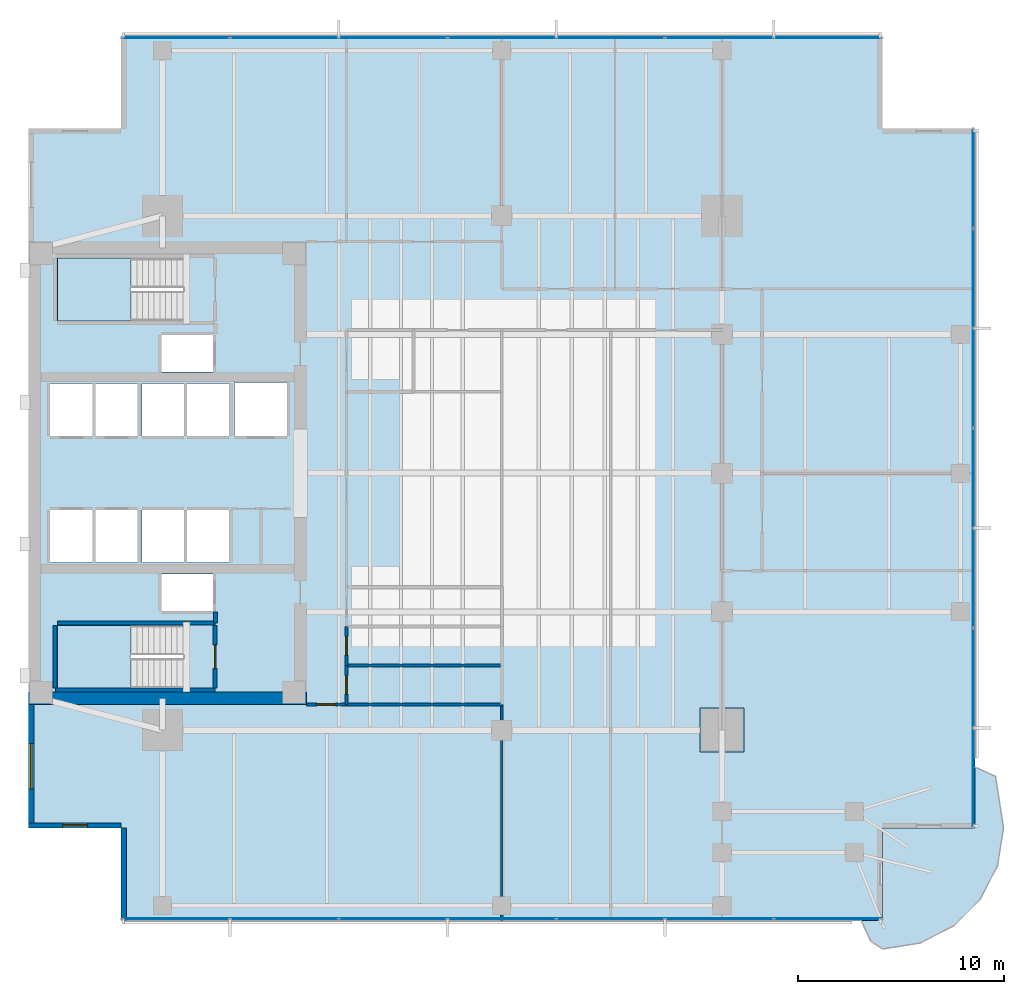
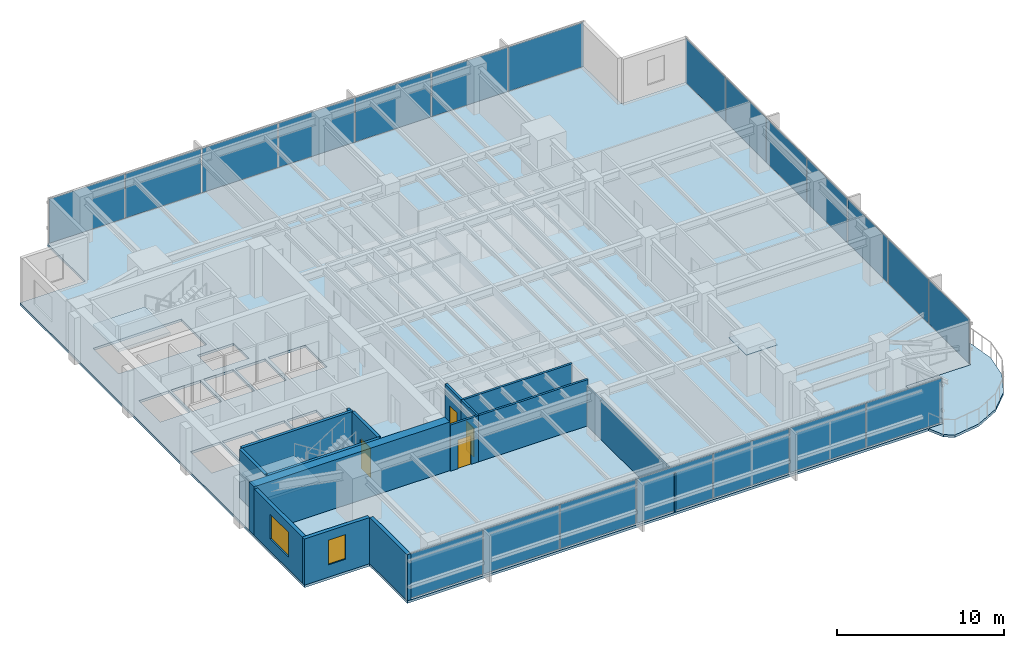
# One storey, part 7 of 14: 22 plates, 15 walls, 4 doors, 4 slabs, 2 windows, 6 openings, 5 elements without a shape of their own.
"""IFC4 building model written with IfcOpenShell, lengths in metres."""

from ifc_helpers import new_model, si_unit, direction, frame, frame_2d, origin, origin_2d, place, context, subcontext, project, spatial, polyline, rectangle, outline, extrude, material, layer, layer_set, type_object, element, fill, aggregate, save


model = new_model("IFC4")

# Units and contexts
model_context = context("Model", 3, precision=1e-05, world=origin(), true_north=direction((0.0, 1.0)))
body_context = subcontext(model_context, "Body", "Model", "MODEL_VIEW")
ifc_project = project(units=[si_unit("LENGTHUNIT", "METRE"), si_unit("AREAUNIT", "SQUARE_METRE"), si_unit("VOLUMEUNIT", "CUBIC_METRE"), si_unit("PLANEANGLEUNIT", "RADIAN"), si_unit("MASSUNIT", "GRAM", prefix="KILO")], contexts=[model_context])

# Site, building, storey
site_placement = place(None, origin())
site = spatial("IfcSite", under=ifc_project, at=site_placement, CompositionType="ELEMENT")
building_placement = place(site_placement, origin())
building = spatial("IfcBuilding", under=site, at=building_placement, Name="Kinhvarn Gate Tower", CompositionType="ELEMENT")
storey_placement = place(building_placement, frame((0.0, 0.0, 116.449951171875)))
storey = spatial("IfcBuildingStorey", under=building, at=storey_placement, Name="L30", CompositionType="ELEMENT", Elevation=116.449951171875)

# Curtain wall, plates
ifc_material_1 = material(Name="Anodised aluminium AW-6063", Category="aluminium")
ifc_layer_1 = layer(ifc_material_1, 0.179931640625)
ifc_layer_set_1 = layer_set([ifc_layer_1], Name="Anodised aluminium AW-6063")
curtain_wall_type = type_object("IfcCurtainWallType", Name="CW-SYS-3", PredefinedType="NOTDEFINED", material=ifc_layer_set_1)
curtain_wall_1_placement = place(storey_placement, origin())
curtain_wall_1 = element("IfcCurtainWall", 1, at=curtain_wall_1_placement, inside=storey, type_object=curtain_wall_type, Name="Curtain Wall CW3 (L30)", PredefinedType="NOTDEFINED")
ifc_material_2 = material(Name="Clear low-e double glazing", Category="glass")
ifc_layer_2 = layer(ifc_material_2, 0.031982421875)
ifc_layer_set_2 = layer_set([ifc_layer_2], Name="Clear low-e double glazing")
plate_type_1 = type_object("IfcPlateType", Name="CW-PNL-VIS", PredefinedType="CURTAIN_PANEL", material=ifc_layer_set_2)
plate_1_placement = place(storey_placement, frame((11.6591796875, 3.590087890625, 0.070068359375), z_axis=(0.0, 0.0, 1.0), x_axis=(1.0, 0.0, 0.0)))
plate_1 = element("IfcPlate", 2, at=plate_1_placement, type_object=plate_type_1, Name="CW3 panel 1.1", PredefinedType="CURTAIN_PANEL", context=body_context, shape_type="SweptSolid", body=[
    extrude(rectangle(XDim=5.188232421875, YDim=0.031982421875, at=origin_2d()), origin(), (0.0, 0.0, 1.0), 3.22998046875),
])
plate_2_placement = place(storey_placement, frame((16.928466796875, 3.590087890625, 0.070068359375), z_axis=(0.0, 0.0, 1.0), x_axis=(1.0, 0.0, 0.0)))
plate_2 = element("IfcPlate", 3, at=plate_2_placement, type_object=plate_type_1, Name="CW3 panel 2.1", PredefinedType="CURTAIN_PANEL", context=body_context, shape_type="SweptSolid", body=[
    extrude(rectangle(XDim=5.220703125, YDim=0.031982421875, at=origin_2d()), origin(), (0.0, 0.0, 1.0), 3.22998046875),
])
plate_3_placement = place(storey_placement, frame((22.21435546875, 3.590087890625, 0.070068359375), z_axis=(0.0, 0.0, 1.0), x_axis=(1.0, 0.0, 0.0)))
plate_3 = element("IfcPlate", 4, at=plate_3_placement, type_object=plate_type_1, Name="CW3 panel 3.1", PredefinedType="CURTAIN_PANEL", context=body_context, shape_type="SweptSolid", body=[
    extrude(rectangle(XDim=5.220703125, YDim=0.031982421875, at=origin_2d()), origin(), (0.0, 0.0, 1.0), 3.22998046875),
])
plate_4_placement = place(storey_placement, frame((27.5, 3.590087890625, 0.070068359375), z_axis=(0.0, 0.0, 1.0), x_axis=(1.0, 0.0, 0.0)))
plate_4 = element("IfcPlate", 5, at=plate_4_placement, type_object=plate_type_1, Name="CW3 panel 4.1", PredefinedType="CURTAIN_PANEL", context=body_context, shape_type="SweptSolid", body=[
    extrude(rectangle(XDim=5.220703125, YDim=0.031982421875, at=origin_2d()), origin(), (0.0, 0.0, 1.0), 3.22998046875),
])
plate_5_placement = place(storey_placement, frame((32.78564453125, 3.590087890625, 0.070068359375), z_axis=(0.0, 0.0, 1.0), x_axis=(1.0, 0.0, 0.0)))
plate_5 = element("IfcPlate", 6, at=plate_5_placement, type_object=plate_type_1, Name="CW3 panel 5.1", PredefinedType="CURTAIN_PANEL", context=body_context, shape_type="SweptSolid", body=[
    extrude(rectangle(XDim=5.220703125, YDim=0.031982421875, at=origin_2d()), origin(), (0.0, 0.0, 1.0), 3.22998046875),
])
plate_6_placement = place(storey_placement, frame((38.071533203125, 3.590087890625, 0.070068359375), z_axis=(0.0, 0.0, 1.0), x_axis=(1.0, 0.0, 0.0)))
plate_6 = element("IfcPlate", 7, at=plate_6_placement, type_object=plate_type_1, Name="CW3 panel 6.1", PredefinedType="CURTAIN_PANEL", context=body_context, shape_type="SweptSolid", body=[
    extrude(rectangle(XDim=5.220703125, YDim=0.031982421875, at=origin_2d()), origin(), (0.0, 0.0, 1.0), 3.22998046875),
])
plate_7_placement = place(storey_placement, frame((43.3408203125, 3.590087890625, 0.070068359375), z_axis=(0.0, 0.0, 1.0), x_axis=(1.0, 0.0, 0.0)))
plate_7 = element("IfcPlate", 8, at=plate_7_placement, type_object=plate_type_1, Name="CW3 panel 7.1", PredefinedType="CURTAIN_PANEL", context=body_context, shape_type="SweptSolid", body=[
    extrude(rectangle(XDim=5.188232421875, YDim=0.031982421875, at=origin_2d()), origin(), (0.0, 0.0, 1.0), 3.22998046875),
])
aggregate(curtain_wall_1, [plate_1, plate_2, plate_3, plate_4, plate_5, plate_6, plate_7])

curtain_wall_2_placement = place(storey_placement, origin())
curtain_wall_2 = element("IfcCurtainWall", 9, at=curtain_wall_2_placement, inside=storey, type_object=curtain_wall_type, Name="Curtain Wall CW3 (L30)", PredefinedType="NOTDEFINED")
plate_8_placement = place(storey_placement, frame((43.3408203125, 46.409912109375, 0.070068359375), z_axis=(0.0, 0.0, 1.0), x_axis=(-1.0, 0.0, 0.0)))
plate_8 = element("IfcPlate", 10, at=plate_8_placement, type_object=plate_type_1, Name="CW3 panel 1.1", PredefinedType="CURTAIN_PANEL", context=body_context, shape_type="SweptSolid", body=[
    extrude(rectangle(XDim=5.188232421875, YDim=0.031982421875, at=origin_2d()), origin(), (0.0, 0.0, 1.0), 3.22998046875),
])
plate_9_placement = place(storey_placement, frame((38.071533203125, 46.409912109375, 0.070068359375), z_axis=(0.0, 0.0, 1.0), x_axis=(-1.0, 0.0, 0.0)))
plate_9 = element("IfcPlate", 11, at=plate_9_placement, type_object=plate_type_1, Name="CW3 panel 2.1", PredefinedType="CURTAIN_PANEL", context=body_context, shape_type="SweptSolid", body=[
    extrude(rectangle(XDim=5.220703125, YDim=0.031982421875, at=origin_2d()), origin(), (0.0, 0.0, 1.0), 3.22998046875),
])
plate_10_placement = place(storey_placement, frame((32.78564453125, 46.409912109375, 0.070068359375), z_axis=(0.0, 0.0, 1.0), x_axis=(-1.0, 0.0, 0.0)))
plate_10 = element("IfcPlate", 12, at=plate_10_placement, type_object=plate_type_1, Name="CW3 panel 3.1", PredefinedType="CURTAIN_PANEL", context=body_context, shape_type="SweptSolid", body=[
    extrude(rectangle(XDim=5.220703125, YDim=0.031982421875, at=origin_2d()), origin(), (0.0, 0.0, 1.0), 3.22998046875),
])
plate_11_placement = place(storey_placement, frame((27.5, 46.409912109375, 0.070068359375), z_axis=(0.0, 0.0, 1.0), x_axis=(-1.0, 0.0, 0.0)))
plate_11 = element("IfcPlate", 13, at=plate_11_placement, type_object=plate_type_1, Name="CW3 panel 4.1", PredefinedType="CURTAIN_PANEL", context=body_context, shape_type="SweptSolid", body=[
    extrude(rectangle(XDim=5.220703125, YDim=0.031982421875, at=origin_2d()), origin(), (0.0, 0.0, 1.0), 3.22998046875),
])
plate_12_placement = place(storey_placement, frame((22.21435546875, 46.409912109375, 0.070068359375), z_axis=(0.0, 0.0, 1.0), x_axis=(-1.0, 0.0, 0.0)))
plate_12 = element("IfcPlate", 14, at=plate_12_placement, type_object=plate_type_1, Name="CW3 panel 5.1", PredefinedType="CURTAIN_PANEL", context=body_context, shape_type="SweptSolid", body=[
    extrude(rectangle(XDim=5.220703125, YDim=0.031982421875, at=origin_2d()), origin(), (0.0, 0.0, 1.0), 3.22998046875),
])
plate_13_placement = place(storey_placement, frame((16.928466796875, 46.409912109375, 0.070068359375), z_axis=(0.0, 0.0, 1.0), x_axis=(-1.0, 0.0, 0.0)))
plate_13 = element("IfcPlate", 15, at=plate_13_placement, type_object=plate_type_1, Name="CW3 panel 6.1", PredefinedType="CURTAIN_PANEL", context=body_context, shape_type="SweptSolid", body=[
    extrude(rectangle(XDim=5.220703125, YDim=0.031982421875, at=origin_2d()), origin(), (0.0, 0.0, 1.0), 3.22998046875),
])
plate_14_placement = place(storey_placement, frame((11.6591796875, 46.409912109375, 0.070068359375), z_axis=(0.0, 0.0, 1.0), x_axis=(-1.0, 0.0, 0.0)))
plate_14 = element("IfcPlate", 16, at=plate_14_placement, type_object=plate_type_1, Name="CW3 panel 7.1", PredefinedType="CURTAIN_PANEL", context=body_context, shape_type="SweptSolid", body=[
    extrude(rectangle(XDim=5.188232421875, YDim=0.031982421875, at=origin_2d()), origin(), (0.0, 0.0, 1.0), 3.22998046875),
])
aggregate(curtain_wall_2, [plate_8, plate_9, plate_10, plate_11, plate_12, plate_13, plate_14])

curtain_wall_3_placement = place(storey_placement, origin())
curtain_wall_3 = element("IfcCurtainWall", 17, at=curtain_wall_3_placement, inside=storey, type_object=curtain_wall_type, Name="Curtain Wall CW3 (L30)", PredefinedType="NOTDEFINED")
plate_15_placement = place(storey_placement, frame((50.409912109375, 10.44482421875, 0.070068359375), z_axis=(0.0, 0.0, 1.0), x_axis=(0.0, 1.0, 0.0)))
plate_15 = element("IfcPlate", 18, at=plate_15_placement, type_object=plate_type_1, Name="CW3 panel 1.1", PredefinedType="CURTAIN_PANEL", context=body_context, shape_type="SweptSolid", body=[
    extrude(rectangle(XDim=4.759521484375, YDim=0.031982421875, at=origin_2d()), origin(), (0.0, 0.0, 1.0), 3.22998046875),
])
plate_16_placement = place(storey_placement, frame((50.409912109375, 15.28564453125, 0.070068359375), z_axis=(0.0, 0.0, 1.0), x_axis=(0.0, 1.0, 0.0)))
plate_16 = element("IfcPlate", 19, at=plate_16_placement, type_object=plate_type_1, Name="CW3 panel 2.1", PredefinedType="CURTAIN_PANEL", context=body_context, shape_type="SweptSolid", body=[
    extrude(rectangle(XDim=4.792236328125, YDim=0.031982421875, at=origin_2d()), origin(), (0.0, 0.0, 1.0), 3.22998046875),
])
plate_17_placement = place(storey_placement, frame((50.409912109375, 20.142822265625, 0.070068359375), z_axis=(0.0, 0.0, 1.0), x_axis=(0.0, 1.0, 0.0)))
plate_17 = element("IfcPlate", 20, at=plate_17_placement, type_object=plate_type_1, Name="CW3 panel 3.1", PredefinedType="CURTAIN_PANEL", context=body_context, shape_type="SweptSolid", body=[
    extrude(rectangle(XDim=4.792236328125, YDim=0.031982421875, at=origin_2d()), origin(), (0.0, 0.0, 1.0), 3.22998046875),
])
plate_18_placement = place(storey_placement, frame((50.409912109375, 25.0, 0.070068359375), z_axis=(0.0, 0.0, 1.0), x_axis=(0.0, 1.0, 0.0)))
plate_18 = element("IfcPlate", 21, at=plate_18_placement, type_object=plate_type_1, Name="CW3 panel 4.1", PredefinedType="CURTAIN_PANEL", context=body_context, shape_type="SweptSolid", body=[
    extrude(rectangle(XDim=4.792236328125, YDim=0.031982421875, at=origin_2d()), origin(), (0.0, 0.0, 1.0), 3.22998046875),
])
plate_19_placement = place(storey_placement, frame((50.409912109375, 29.857177734375, 0.070068359375), z_axis=(0.0, 0.0, 1.0), x_axis=(0.0, 1.0, 0.0)))
plate_19 = element("IfcPlate", 22, at=plate_19_placement, type_object=plate_type_1, Name="CW3 panel 5.1", PredefinedType="CURTAIN_PANEL", context=body_context, shape_type="SweptSolid", body=[
    extrude(rectangle(XDim=4.792236328125, YDim=0.031982421875, at=origin_2d()), origin(), (0.0, 0.0, 1.0), 3.22998046875),
])
plate_20_placement = place(storey_placement, frame((50.409912109375, 34.71435546875, 0.070068359375), z_axis=(0.0, 0.0, 1.0), x_axis=(0.0, 1.0, 0.0)))
plate_20 = element("IfcPlate", 23, at=plate_20_placement, type_object=plate_type_1, Name="CW3 panel 6.1", PredefinedType="CURTAIN_PANEL", context=body_context, shape_type="SweptSolid", body=[
    extrude(rectangle(XDim=4.792236328125, YDim=0.031982421875, at=origin_2d()), origin(), (0.0, 0.0, 1.0), 3.22998046875),
])
plate_21_placement = place(storey_placement, frame((50.409912109375, 39.55517578125, 0.070068359375), z_axis=(0.0, 0.0, 1.0), x_axis=(0.0, 1.0, 0.0)))
plate_21 = element("IfcPlate", 24, at=plate_21_placement, type_object=plate_type_1, Name="CW3 panel 7.1", PredefinedType="CURTAIN_PANEL", context=body_context, shape_type="SweptSolid", body=[
    extrude(rectangle(XDim=4.759521484375, YDim=0.031982421875, at=origin_2d()), origin(), (0.0, 0.0, 1.0), 3.22998046875),
])
aggregate(curtain_wall_3, [plate_15, plate_16, plate_17, plate_18, plate_19, plate_20, plate_21])

# Plate
ifc_material_3 = material(Name="Steel S355", Category="steel")
ifc_layer_3 = layer(ifc_material_3, 0.031982421875)
ifc_layer_set_3 = layer_set([ifc_layer_3], Name="Steel S355")
plate_type_2 = type_object("IfcPlateType", Name="PLT-NODE-KN3", PredefinedType="USERDEFINED", material=ifc_layer_set_3)
plate_22_placement = place(storey_placement, frame((0.0, 0.0, 3.10400390625)))
element("IfcPlate", 25, at=plate_22_placement, inside=storey, type_object=plate_type_2, Name="Structural Node Cap Plate KN3", ObjectType="GUSSET_PLATE", PredefinedType="USERDEFINED", context=body_context, shape_type="SweptSolid", body=[
    extrude(outline(polyline([(37.1298828125, 11.679931640625), (39.27001953125, 11.679931640625), (39.27001953125, 13.820068359375), (37.1298828125, 13.820068359375), (37.1298828125, 11.679931640625)])), origin(), (0.0, 0.0, 1.0), 0.031982421875),
])

# Slabs
ifc_material_4 = material(Name="Precast white architectural concrete C40/50", Category="concrete")
ifc_layer_4 = layer(ifc_material_4, 0.179931640625)
ifc_layer_set_4 = layer_set([ifc_layer_4], Name="Precast white architectural concrete C40/50")
slab_type_1 = type_object("IfcSlabType", Name="SLB-BAL-180", PredefinedType="FLOOR", material=ifc_layer_set_4)
slab_1_placement = place(storey_placement, frame((0.0, 0.0, -0.179931640625)))
element("IfcSlab", 26, at=slab_1_placement, inside=storey, type_object=slab_type_1, Name="S-Carve Curved Terrace Balcony Slab L30 (SE)", PredefinedType="FLOOR", context=body_context, shape_type="SweptSolid", body=[
    extrude(outline(polyline([(44.969970703125, 3.5), (45.419921875, 2.504150390625), (46.0, 2.116943359375), (47.81787109375, 2.40478515625), (49.4580078125, 3.240478515625), (50.759521484375, 4.5419921875), (51.59521484375, 6.18212890625), (51.883056640625, 8.0), (51.495849609375, 10.508056640625), (50.5, 10.9580078125), (50.5, 8.0), (46.0, 8.0), (46.0, 3.5), (44.969970703125, 3.5)])), origin(), (0.0, 0.0, 1.0), 0.179931640625),
])
ifc_material_5 = material(Name="Concrete C40/50", Category="concrete")
ifc_layer_5 = layer(ifc_material_5, 0.179931640625)
ifc_layer_set_5 = layer_set([ifc_layer_5], Name="Concrete C40/50")
slab_type_2 = type_object("IfcSlabType", Name="SLB-FLR-180", PredefinedType="FLOOR", material=ifc_layer_set_5)
slab_2_placement = place(storey_placement, frame((0.0, 0.0, -0.179931640625)))
element("IfcSlab", 27, at=slab_2_placement, inside=storey, type_object=slab_type_2, Name="Suspended Floor Slab L30", PredefinedType="FLOOR", context=body_context, shape_type="SweptSolid", body=[
    extrude(outline(polyline([(9.0, 3.5), (46.0, 3.5), (46.0, 8.0), (50.5, 8.0), (50.5, 42.0), (46.0, 42.0), (46.0, 46.5), (9.0, 46.5), (9.0, 42.0), (4.5, 42.0), (4.5, 8.0), (9.0, 8.0), (9.0, 3.5)]), holes=[polyline([(5.89990234375, 14.800048828125), (12.0, 14.800048828125), (12.0, 17.85009765625), (5.89990234375, 17.85009765625), (5.89990234375, 14.800048828125)]), polyline([(5.89990234375, 32.64990234375), (12.0, 32.64990234375), (12.0, 35.699951171875), (5.89990234375, 35.699951171875), (5.89990234375, 32.64990234375)]), polyline([(5.550048828125, 20.89990234375), (7.60009765625, 20.89990234375), (7.60009765625, 23.449951171875), (5.550048828125, 23.449951171875), (5.550048828125, 20.89990234375)]), polyline([(7.75, 20.89990234375), (9.800048828125, 20.89990234375), (9.800048828125, 23.449951171875), (7.75, 23.449951171875), (7.75, 20.89990234375)]), polyline([(5.550048828125, 27.050048828125), (7.60009765625, 27.050048828125), (7.60009765625, 29.60009765625), (5.550048828125, 29.60009765625), (5.550048828125, 27.050048828125)]), polyline([(7.75, 27.050048828125), (9.800048828125, 27.050048828125), (9.800048828125, 29.60009765625), (7.75, 29.60009765625), (7.75, 27.050048828125)]), polyline([(10.0, 20.89990234375), (12.050048828125, 20.89990234375), (12.050048828125, 23.449951171875), (10.0, 23.449951171875), (10.0, 20.89990234375)]), polyline([(12.199951171875, 20.89990234375), (14.25, 20.89990234375), (14.25, 23.449951171875), (12.199951171875, 23.449951171875), (12.199951171875, 20.89990234375)]), polyline([(10.0, 27.050048828125), (12.050048828125, 27.050048828125), (12.050048828125, 29.60009765625), (10.0, 29.60009765625), (10.0, 27.050048828125)]), polyline([(12.199951171875, 27.050048828125), (14.25, 27.050048828125), (14.25, 29.60009765625), (12.199951171875, 29.60009765625), (12.199951171875, 27.050048828125)]), polyline([(14.5, 27.050048828125), (17.050048828125, 27.050048828125), (17.050048828125, 29.64990234375), (14.5, 29.64990234375), (14.5, 27.050048828125)]), polyline([(10.949951171875, 18.550048828125), (13.449951171875, 18.550048828125), (13.449951171875, 20.35009765625), (10.949951171875, 20.35009765625), (10.949951171875, 18.550048828125)]), polyline([(10.949951171875, 30.14990234375), (13.449951171875, 30.14990234375), (13.449951171875, 31.949951171875), (10.949951171875, 31.949951171875), (10.949951171875, 30.14990234375)])]), origin(), (0.0, 0.0, 1.0), 0.179931640625),
])

# Stair, slab
stair_type = type_object("IfcStairType", Name="STR-DLG-177", PredefinedType="HALF_TURN_STAIR", material=ifc_material_5)
stair_1_placement = place(storey_placement, origin())
stair_1 = element("IfcStair", 28, at=stair_1_placement, inside=storey, type_object=stair_type, Name="L30 Core Smokeproof Exit Stair ST1", PredefinedType="HALF_TURN_STAIR")
ifc_layer_6 = layer(ifc_material_5, 0.199951171875)
ifc_layer_set_6 = layer_set([ifc_layer_6], Name="Concrete C40/50")
slab_type_3 = type_object("IfcSlabType", Name="SLB-ST-LND", PredefinedType="LANDING", material=ifc_layer_set_6)
slab_3_placement = place(storey_placement, frame((0.0, 0.0, 1.574951171875)))
slab_3 = element("IfcSlab", 29, at=slab_3_placement, type_object=slab_type_3, Name="ST1 landing 1", PredefinedType="LANDING", context=body_context, shape_type="SweptSolid", body=[
    extrude(outline(polyline([(9.47998046875, 17.85009765625), (5.89990234375, 17.85009765625), (5.89990234375, 14.800048828125), (9.47998046875, 14.800048828125), (9.47998046875, 17.85009765625)])), origin(), (0.0, 0.0, 1.0), 0.2001953125),
])
aggregate(stair_1, [slab_3])

stair_2_placement = place(storey_placement, origin())
stair_2 = element("IfcStair", 30, at=stair_2_placement, inside=storey, type_object=stair_type, Name="L30 Core Smokeproof Exit Stair ST2", PredefinedType="HALF_TURN_STAIR")
slab_4_placement = place(storey_placement, frame((0.0, 0.0, 1.574951171875)))
slab_4 = element("IfcSlab", 31, at=slab_4_placement, type_object=slab_type_3, Name="ST2 landing 1", PredefinedType="LANDING", context=body_context, shape_type="SweptSolid", body=[
    extrude(outline(polyline([(9.47998046875, 35.699951171875), (5.89990234375, 35.699951171875), (5.89990234375, 32.64990234375), (9.47998046875, 32.64990234375), (9.47998046875, 35.699951171875)])), origin(), (0.0, 0.0, 1.0), 0.2001953125),
])
aggregate(stair_2, [slab_4])

# Wall
ifc_material_6 = material(Name="Concrete C60/75", Category="concrete")
ifc_layer_7 = layer(ifc_material_6, 0.60009765625)
ifc_layer_set_7 = layer_set([ifc_layer_7], Name="Concrete C60/75")
wall_type_1 = type_object("IfcWallType", Name="WL-CORE-600", PredefinedType="SHEAR", material=ifc_layer_set_7)
wall_1_placement = place(storey_placement, frame((4.5, 14.300048828125, 0.0), z_axis=(0.0, 0.0, 1.0), x_axis=(1.0, 0.0, 0.0)))
element("IfcWall", 32, at=wall_1_placement, inside=storey, type_object=wall_type_1, Name="Core South Shear Wall L30 600 mm", PredefinedType="SHEAR", context=body_context, shape_type="SweptSolid", body=[
    extrude(rectangle(XDim=13.5, YDim=0.60009765625, at=frame_2d((6.75, 0.0))), origin(), (0.0, 0.0, 1.0), 3.550048828125),
])

# Wall, opening, window
ifc_material_7 = material(Name="Fired architectural terracotta", Category="masonry")
ifc_layer_8 = layer(ifc_material_7, 0.25)
ifc_layer_set_8 = layer_set([ifc_layer_8], Name="Fired architectural terracotta")
wall_type_2 = type_object("IfcWallType", Name="WL-EXT-250", PredefinedType="SOLIDWALL", material=ifc_layer_set_8)
wall_2_placement = place(storey_placement, frame((4.625, 14.0, 0.0), z_axis=(0.0, 0.0, 1.0), x_axis=(0.0, -1.0, 0.0)))
wall_2 = element("IfcWall", 33, at=wall_2_placement, inside=storey, type_object=wall_type_2, Name="Exterior Solidwall Wall EW-250 (L30 West-South)", PredefinedType="SOLIDWALL", context=body_context, shape_type="SweptSolid", body=[
    extrude(rectangle(XDim=6.0, YDim=0.25, at=frame_2d((3.0, 0.0))), origin(), (0.0, 0.0, 1.0), 3.3701171875),
])
opening_1_placement = place(wall_2_placement, frame((1.89990234375, 0.0, 0.89990234375)))
opening_1 = element("IfcOpeningElement", 34, at=opening_1_placement, cuts=wall_2, Name="Opening WN-01", PredefinedType="OPENING", context=body_context, shape_type="SweptSolid", body=[
    extrude(rectangle(XDim=2.199951171875, YDim=1.800048828125, at=frame_2d((1.10009765625, 0.89990234375))), frame((0.0, 0.135009765625, 0.0), z_axis=(0.0, -1.0, 0.0), x_axis=(1.0, 0.0, 0.0)), (0.0, 0.0, 1.0), 0.27001953125),
])
window_type_1 = type_object("IfcWindowType", Name="WIN-RIB-2200", PartitioningType="SINGLE_PANEL", PredefinedType="WINDOW", material=ifc_material_2)
window_1_placement = place(opening_1_placement, origin())
window_1 = element("IfcWindow", 35, at=window_1_placement, inside=storey, type_object=window_type_1, Name="West Flank Double-Glazed Ribbon Window 2200x1800 mm (L30)", OverallHeight=1.800048828125, OverallWidth=2.199951171875, PartitioningType="SINGLE_PANEL", PredefinedType="WINDOW", context=body_context, shape_type="SweptSolid", body=[
    extrude(rectangle(XDim=2.199951171875, YDim=1.800048828125, at=frame_2d((1.10009765625, 0.89990234375))), frame((0.0, 0.030029296875, 0.0), z_axis=(0.0, -1.0, 0.0), x_axis=(1.0, 0.0, 0.0)), (0.0, 0.0, 1.0), 0.06005859375),
])
fill(opening_1, window_1)

wall_3_placement = place(storey_placement, frame((4.5, 8.125, 0.0), z_axis=(0.0, 0.0, 1.0), x_axis=(1.0, 0.0, 0.0)))
wall_3 = element("IfcWall", 36, at=wall_3_placement, inside=storey, type_object=wall_type_2, Name="Exterior Solidwall Wall EW-250 (L30 SW-Notch-1)", PredefinedType="SOLIDWALL", context=body_context, shape_type="SweptSolid", body=[
    extrude(rectangle(XDim=4.5, YDim=0.25, at=frame_2d((2.25, 0.0))), origin(), (0.0, 0.0, 1.0), 3.3701171875),
])
opening_2_placement = place(wall_3_placement, frame((1.64990234375, 0.0, 0.89990234375)))
opening_2 = element("IfcOpeningElement", 37, at=opening_2_placement, cuts=wall_3, Name="Opening WN-02", PredefinedType="OPENING", context=body_context, shape_type="SweptSolid", body=[
    extrude(rectangle(XDim=1.199951171875, YDim=1.800048828125, at=frame_2d((0.60009765625, 0.89990234375))), frame((0.0, 0.135009765625, 0.0), z_axis=(0.0, -1.0, 0.0), x_axis=(1.0, 0.0, 0.0)), (0.0, 0.0, 1.0), 0.27001953125),
])
window_type_2 = type_object("IfcWindowType", Name="WIN-NTC-1200", PartitioningType="SINGLE_PANEL", PredefinedType="WINDOW", material=ifc_material_2)
window_2_placement = place(opening_2_placement, origin())
window_2 = element("IfcWindow", 38, at=window_2_placement, inside=storey, type_object=window_type_2, Name="Recessed Corner Notch Punched Window 1200x1800 mm (L30)", OverallHeight=1.800048828125, OverallWidth=1.199951171875, PartitioningType="SINGLE_PANEL", PredefinedType="WINDOW", context=body_context, shape_type="SweptSolid", body=[
    extrude(rectangle(XDim=1.199951171875, YDim=1.800048828125, at=frame_2d((0.60009765625, 0.89990234375))), frame((0.0, 0.030029296875, 0.0), z_axis=(0.0, -1.0, 0.0), x_axis=(1.0, 0.0, 0.0)), (0.0, 0.0, 1.0), 0.06005859375),
])
fill(opening_2, window_2)

# Walls
wall_4_placement = place(storey_placement, frame((9.125, 8.0, 0.0), z_axis=(0.0, 0.0, 1.0), x_axis=(0.0, -1.0, 0.0)))
element("IfcWall", 39, at=wall_4_placement, inside=storey, type_object=wall_type_2, Name="Exterior Solidwall Wall EW-250 (L30 SW-Notch-2)", PredefinedType="SOLIDWALL", context=body_context, shape_type="SweptSolid", body=[
    extrude(rectangle(XDim=4.5, YDim=0.25, at=frame_2d((2.25, 0.0))), origin(), (0.0, 0.0, 1.0), 3.3701171875),
])
ifc_material_8 = material(Name="Gypsum acoustic partition board")
ifc_layer_9 = layer(ifc_material_8, 0.14990234375)
ifc_layer_set_9 = layer_set([ifc_layer_9], Name="Gypsum acoustic partition board")
wall_type_3 = type_object("IfcWallType", Name="WL-PLM-150", PredefinedType="PLUMBINGWALL", material=ifc_layer_set_9)
for number, where, z_axis, x_axis, name in (
    (40, (19.949951171875, 15.89990234375, 0.0), (0.0, 0.0, 1.0), (1.0, 0.0, 0.0), "Interior Partition PLW-150 (L30)"),
    (41, (19.949951171875, 14.0, 0.0), (0.0, 0.0, 1.0), (1.0, 0.0, 0.0), "Interior Partition PLW-150 (L30)"),
):
    element("IfcWall", number, at=place(storey_placement, frame(where, z_axis=z_axis, x_axis=x_axis)), inside=storey, type_object=wall_type_3, Name=name, PredefinedType="PLUMBINGWALL", context=body_context, shape_type="SweptSolid", body=[
        extrude(rectangle(XDim=7.550048828125, YDim=0.14990234375, at=frame_2d((3.77490234375, 0.0))), origin(), (0.0, 0.0, 1.0), 3.3701171875),
    ])

# Wall, opening, door
ifc_layer_10 = layer(ifc_material_8, 0.14990234375)
ifc_layer_set_10 = layer_set([ifc_layer_10], Name="Gypsum acoustic partition board")
wall_type_4 = type_object("IfcWallType", Name="WL-PLM-150F", PredefinedType="PLUMBINGWALL", material=ifc_layer_set_10)
wall_5_placement = place(storey_placement, frame((19.949951171875, 14.0, 0.0), z_axis=(0.0, 0.0, 1.0), x_axis=(0.0, 1.0, 0.0)))
wall_5 = element("IfcWall", 42, at=wall_5_placement, inside=storey, type_object=wall_type_4, Name="Interior Partition PLW-150F (L30)", PredefinedType="PLUMBINGWALL", context=body_context, shape_type="SweptSolid", body=[
    extrude(rectangle(XDim=1.89990234375, YDim=0.14990234375, at=frame_2d((0.949951171875, 0.0))), origin(), (0.0, 0.0, 1.0), 3.3701171875),
])
opening_3_placement = place(wall_5_placement, frame((0.5, 0.0, 0.0)))
opening_3 = element("IfcOpeningElement", 43, at=opening_3_placement, cuts=wall_5, Name="Opening FD-04", PredefinedType="OPENING", context=body_context, shape_type="SweptSolid", body=[
    extrude(rectangle(XDim=0.89990234375, YDim=2.10009765625, at=frame_2d((0.449951171875, 1.050048828125))), frame((0.0, 0.0849609375, 0.0), z_axis=(0.0, -1.0, 0.0), x_axis=(1.0, 0.0, 0.0)), (0.0, 0.0, 1.0), 0.169921875),
])
door_type_1 = type_object("IfcDoorType", Name="DR-FD-900", OperationType="NOTDEFINED", PredefinedType="DOOR", material=ifc_material_1)
door_1_placement = place(opening_3_placement, origin())
door_1 = element("IfcDoor", 44, at=door_1_placement, inside=storey, type_object=door_type_1, Name="Rated Riser & Service Closet Fire Door 900x2100 mm (L30)", OperationType="SINGLE_SWING_RIGHT", OverallHeight=2.10009765625, OverallWidth=0.89990234375, PredefinedType="DOOR", context=body_context, shape_type="SweptSolid", body=[
    extrude(rectangle(XDim=0.89990234375, YDim=2.10009765625, at=frame_2d((0.449951171875, 1.050048828125))), frame((0.0, 0.02490234375, 0.0), z_axis=(0.0, -1.0, 0.0), x_axis=(1.0, 0.0, 0.0)), (0.0, 0.0, 1.0), 0.050048828125),
])
fill(opening_3, door_1)

wall_6_placement = place(storey_placement, frame((19.949951171875, 15.89990234375, 0.0), z_axis=(0.0, 0.0, 1.0), x_axis=(0.0, 1.0, 0.0)))
wall_6 = element("IfcWall", 45, at=wall_6_placement, inside=storey, type_object=wall_type_4, Name="Interior Partition PLW-150F (L30)", PredefinedType="PLUMBINGWALL", context=body_context, shape_type="SweptSolid", body=[
    extrude(rectangle(XDim=1.900146484375, YDim=0.14990234375, at=frame_2d((0.9501953125, 0.0))), origin(), (0.0, 0.0, 1.0), 3.3701171875),
])
opening_4_placement = place(wall_6_placement, frame((0.5, 0.0, 0.0)))
opening_4 = element("IfcOpeningElement", 46, at=opening_4_placement, cuts=wall_6, Name="Opening FD-04", PredefinedType="OPENING", context=body_context, shape_type="SweptSolid", body=[
    extrude(rectangle(XDim=0.89990234375, YDim=2.10009765625, at=frame_2d((0.449951171875, 1.050048828125))), frame((0.0, 0.0849609375, 0.0), z_axis=(0.0, -1.0, 0.0), x_axis=(1.0, 0.0, 0.0)), (0.0, 0.0, 1.0), 0.169921875),
])
door_2_placement = place(opening_4_placement, origin())
door_2 = element("IfcDoor", 47, at=door_2_placement, inside=storey, type_object=door_type_1, Name="Rated Riser & Service Closet Fire Door 900x2100 mm (L30)", OperationType="SINGLE_SWING_LEFT", OverallHeight=2.10009765625, OverallWidth=0.89990234375, PredefinedType="DOOR", context=body_context, shape_type="SweptSolid", body=[
    extrude(rectangle(XDim=0.89990234375, YDim=2.10009765625, at=frame_2d((0.449951171875, 1.050048828125))), frame((0.0, 0.02490234375, 0.0), z_axis=(0.0, -1.0, 0.0), x_axis=(1.0, 0.0, 0.0)), (0.0, 0.0, 1.0), 0.050048828125),
])
fill(opening_4, door_2)

# Wall
ifc_layer_11 = layer(ifc_material_8, 0.1201171875)
ifc_layer_set_11 = layer_set([ifc_layer_11], Name="Gypsum acoustic partition board")
wall_type_5 = type_object("IfcWallType", Name="WL-PRT-120", PredefinedType="PARTITIONING", material=ifc_layer_set_11)
wall_7_placement = place(storey_placement, frame((27.5, 3.510009765625, 0.0), z_axis=(0.0, 0.0, 1.0), x_axis=(0.0, 1.0, 0.0)))
element("IfcWall", 48, at=wall_7_placement, inside=storey, type_object=wall_type_5, Name="Interior Partition PW-120 (L30)", PredefinedType="PARTITIONING", context=body_context, shape_type="SweptSolid", body=[
    extrude(rectangle(XDim=10.489990234375, YDim=0.1201171875, at=frame_2d((5.2451171875, 0.0))), origin(), (0.0, 0.0, 1.0), 2.8701171875),
])

# Wall, opening, door
ifc_layer_12 = layer(ifc_material_8, 0.14990234375)
ifc_layer_set_12 = layer_set([ifc_layer_12], Name="Gypsum acoustic partition board")
wall_type_6 = type_object("IfcWallType", Name="WL-PRT-150F", PredefinedType="PARTITIONING", material=ifc_layer_set_12)
wall_8_placement = place(storey_placement, frame((18.0, 14.0, 0.0), z_axis=(0.0, 0.0, 1.0), x_axis=(1.0, 0.0, 0.0)))
wall_8 = element("IfcWall", 49, at=wall_8_placement, inside=storey, type_object=wall_type_6, Name="Interior Partition PW-150F (L30)", PredefinedType="PARTITIONING", context=body_context, shape_type="SweptSolid", body=[
    extrude(rectangle(XDim=1.949951171875, YDim=0.14990234375, at=frame_2d((0.97509765625, 0.0))), origin(), (0.0, 0.0, 1.0), 3.3701171875),
])
opening_5_placement = place(wall_8_placement, frame((0.52490234375, 0.0, 0.0)))
opening_5 = element("IfcOpeningElement", 50, at=opening_5_placement, cuts=wall_8, Name="Opening ID-03", PredefinedType="OPENING", context=body_context, shape_type="SweptSolid", body=[
    extrude(rectangle(XDim=0.89990234375, YDim=2.10009765625, at=frame_2d((0.449951171875, 1.050048828125))), frame((0.0, 0.0849609375, 0.0), z_axis=(0.0, -1.0, 0.0), x_axis=(1.0, 0.0, 0.0)), (0.0, 0.0, 1.0), 0.169921875),
])
door_type_2 = type_object("IfcDoorType", Name="DR-INT-900", OperationType="NOTDEFINED", PredefinedType="DOOR", material=ifc_material_1)
door_3_placement = place(opening_5_placement, origin())
door_3 = element("IfcDoor", 51, at=door_3_placement, inside=storey, type_object=door_type_2, Name="Cellular Office & Restroom Door 900x2100 mm (L30)", OperationType="SINGLE_SWING_LEFT", OverallHeight=2.10009765625, OverallWidth=0.89990234375, PredefinedType="DOOR", context=body_context, shape_type="SweptSolid", body=[
    extrude(rectangle(XDim=0.89990234375, YDim=2.10009765625, at=frame_2d((0.449951171875, 1.050048828125))), frame((0.0, 0.02490234375, 0.0), z_axis=(0.0, -1.0, 0.0), x_axis=(1.0, 0.0, 0.0)), (0.0, 0.0, 1.0), 0.050048828125),
])
fill(opening_5, door_3)

# Walls
ifc_layer_13 = layer(ifc_material_8, 0.199951171875)
ifc_layer_set_13 = layer_set([ifc_layer_13], Name="Gypsum acoustic partition board")
wall_type_7 = type_object("IfcWallType", Name="WL-PRT-200", PredefinedType="PARTITIONING", material=ifc_layer_set_13)
wall_9_placement = place(storey_placement, frame((13.580078125, 17.9599609375, 0.0), z_axis=(0.0, 0.0, 1.0), x_axis=(0.0, 1.0, 0.0)))
element("IfcWall", 52, at=wall_9_placement, inside=storey, type_object=wall_type_7, Name="Interior Partition PW-200 (L30)", PredefinedType="PARTITIONING", context=body_context, shape_type="SweptSolid", body=[
    extrude(rectangle(XDim=0.5400390625, YDim=0.199951171875, at=frame_2d((0.27001953125, 0.0))), origin(), (0.0, 0.0, 1.0), 3.3701171875),
])
ifc_layer_14 = layer(ifc_material_5, 0.199951171875)
ifc_layer_set_14 = layer_set([ifc_layer_14], Name="Concrete C40/50")
wall_type_8 = type_object("IfcWallType", Name="WL-SHF-200", PredefinedType="SOLIDWALL", material=ifc_layer_set_14)
wall_10_placement = place(storey_placement, frame((5.800048828125, 14.699951171875, 0.0), z_axis=(0.0, 0.0, 1.0), x_axis=(1.0, 0.0, 0.0)))
element("IfcWall", 53, at=wall_10_placement, inside=storey, type_object=wall_type_8, Name="Stair ST1 South Shaft Wall (L30)", PredefinedType="SOLIDWALL", context=body_context, shape_type="SweptSolid", body=[
    extrude(rectangle(XDim=7.75, YDim=0.199951171875, at=frame_2d((3.875, 0.0))), origin(), (0.0, 0.0, 1.0), 3.550048828125),
])
wall_11_placement = place(storey_placement, frame((5.7900390625, 14.800048828125, 0.0), z_axis=(0.0, 0.0, 1.0), x_axis=(0.0, 1.0, 0.0)))
element("IfcWall", 54, at=wall_11_placement, inside=storey, type_object=wall_type_8, Name="Stair ST1 West Shaft Wall (L30)", PredefinedType="SOLIDWALL", context=body_context, shape_type="SweptSolid", body=[
    extrude(rectangle(XDim=3.050048828125, YDim=0.199951171875, at=frame_2d((1.52490234375, 0.0))), origin(), (0.0, 0.0, 1.0), 3.550048828125),
])
wall_12_placement = place(storey_placement, frame((5.89990234375, 17.9599609375, 0.0), z_axis=(0.0, 0.0, 1.0), x_axis=(1.0, 0.0, 0.0)))
element("IfcWall", 55, at=wall_12_placement, inside=storey, type_object=wall_type_8, Name="Stair ST1 North Shaft Wall (L30)", PredefinedType="SOLIDWALL", context=body_context, shape_type="SweptSolid", body=[
    extrude(rectangle(XDim=7.66015625, YDim=0.199951171875, at=frame_2d((3.830078125, 0.0))), origin(), (0.0, 0.0, 1.0), 3.550048828125),
])

# Wall, opening, door
wall_13_placement = place(storey_placement, frame((13.56005859375, 14.800048828125, 0.0), z_axis=(0.0, 0.0, 1.0), x_axis=(0.0, 1.0, 0.0)))
wall_13 = element("IfcWall", 56, at=wall_13_placement, inside=storey, type_object=wall_type_8, Name="Stair ST1 East Entry Wall (L30)", PredefinedType="SOLIDWALL", context=body_context, shape_type="SweptSolid", body=[
    extrude(rectangle(XDim=3.050048828125, YDim=0.199951171875, at=frame_2d((1.52490234375, 0.0))), origin(), (0.0, 0.0, 1.0), 3.550048828125),
])
opening_6_placement = place(wall_13_placement, frame((0.949951171875, 0.0, 0.0)))
opening_6 = element("IfcOpeningElement", 57, at=opening_6_placement, cuts=wall_13, Name="Opening FD-01", PredefinedType="OPENING", context=body_context, shape_type="SweptSolid", body=[
    extrude(rectangle(XDim=1.14990234375, YDim=2.14990234375, at=frame_2d((0.574951171875, 1.074951171875))), frame((0.0, 0.10986328125, 0.0), z_axis=(0.0, -1.0, 0.0), x_axis=(1.0, 0.0, 0.0)), (0.0, 0.0, 1.0), 0.219970703125),
])
door_type_3 = type_object("IfcDoorType", Name="DR-ST-1150", OperationType="NOTDEFINED", PredefinedType="DOOR", material=ifc_material_1)
door_4_placement = place(opening_6_placement, origin())
door_4 = element("IfcDoor", 58, at=door_4_placement, inside=storey, type_object=door_type_3, Name="Exit Stair ST1 Fire Door (L30)", OperationType="SINGLE_SWING_RIGHT", OverallHeight=2.14990234375, OverallWidth=1.14990234375, PredefinedType="DOOR", context=body_context, shape_type="SweptSolid", body=[
    extrude(rectangle(XDim=1.14990234375, YDim=2.14990234375, at=frame_2d((0.574951171875, 1.074951171875))), frame((0.0, 0.02490234375, 0.0), z_axis=(0.0, -1.0, 0.0), x_axis=(1.0, 0.0, 0.0)), (0.0, 0.0, 1.0), 0.050048828125),
])
fill(opening_6, door_4)

save(model, "model.ifc")
